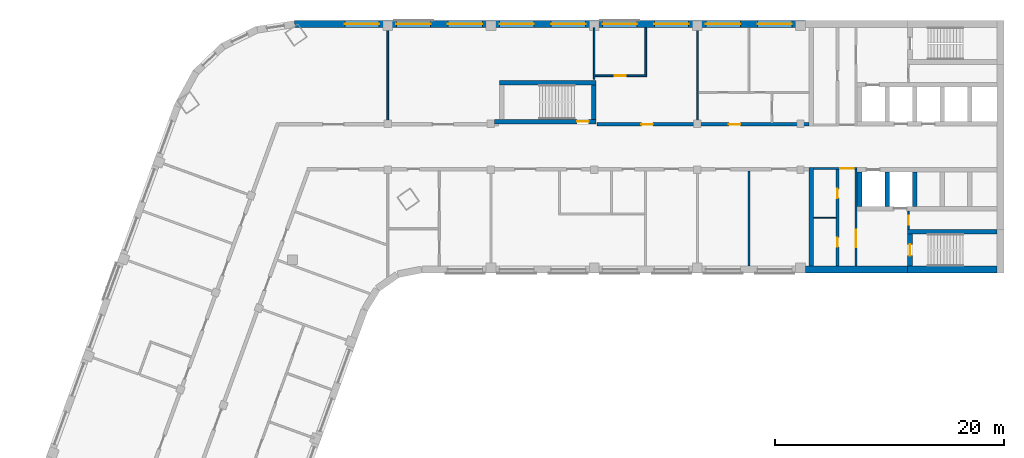
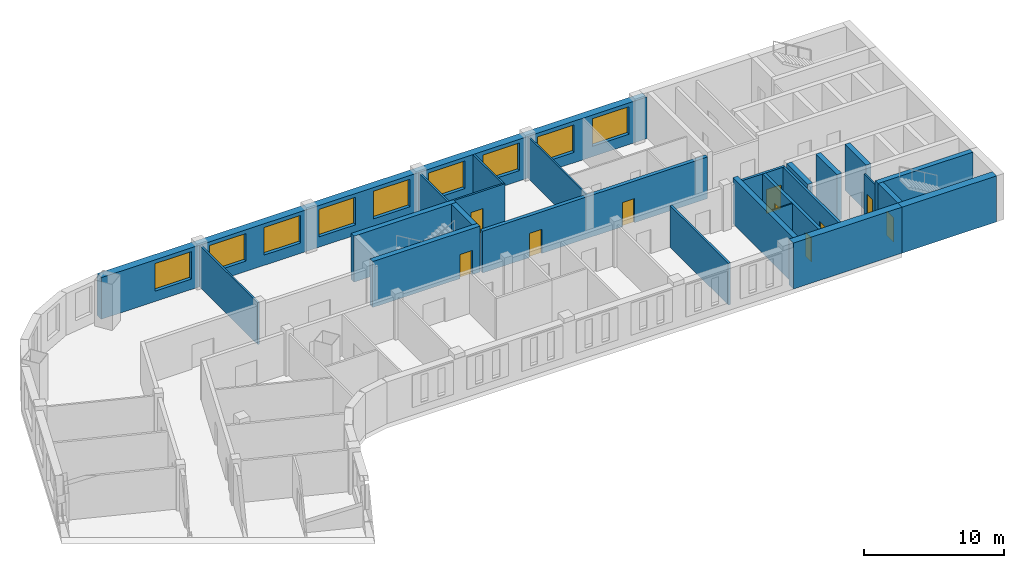
# One storey, part 5 of 8: 24 walls, 10 doors, 9 windows, 19 openings.
"""IFC4 building model written with IfcOpenShell, lengths in metres."""

from ifc_helpers import new_model, si_unit, direction, frame, frame_2d, origin, place, context, subcontext, project, spatial, rectangle, extrude, material, layer, layer_set, type_object, element, fill, save


model = new_model("IFC4")

# Units and contexts
model_context = context("Model", 3, precision=1e-05, world=origin(), true_north=direction((0.0, 1.0)))
body_context = subcontext(model_context, "Body", "Model", "MODEL_VIEW")
ifc_project = project(units=[si_unit("LENGTHUNIT", "METRE"), si_unit("AREAUNIT", "SQUARE_METRE"), si_unit("VOLUMEUNIT", "CUBIC_METRE"), si_unit("PLANEANGLEUNIT", "RADIAN"), si_unit("MASSUNIT", "GRAM", prefix="KILO")], contexts=[model_context])

# Site, building, storey
site_placement = place(None, origin())
site = spatial("IfcSite", under=ifc_project, at=site_placement, CompositionType="ELEMENT")
building_placement = place(site_placement, origin())
building = spatial("IfcBuilding", under=site, at=building_placement, Name="Skarvind Civic Tower", CompositionType="ELEMENT")
storey_placement = place(building_placement, frame((0.0, 0.0, 125.0)))
storey = spatial("IfcBuildingStorey", under=building, at=storey_placement, Name="L29", CompositionType="ELEMENT", Elevation=125.0)

# Wall
ifc_material_1 = material(Name="Acoustic gypsum board on steel studs", Category="steel")
ifc_layer_1 = layer(ifc_material_1, 0.175048828125)
ifc_layer_set_1 = layer_set([ifc_layer_1], Name="ACOUSTIC MEETING-ROOM PARTITION 175")
wall_type_1 = type_object("IfcWallType", Name="ACOUSTIC MEETING-ROOM PARTITION 175", PredefinedType="PARTITIONING", material=ifc_layer_set_1)
wall_1_placement = place(storey_placement, frame((85.75, 117.60009765625, 0.0), z_axis=(0.0, 0.0, 1.0), x_axis=(0.0, 1.0, 0.0)))
element("IfcWall", 1, at=wall_1_placement, inside=storey, type_object=wall_type_1, Name="Partition 29.035", PredefinedType="PARTITIONING", context=body_context, shape_type="SweptSolid", body=[
    extrude(rectangle(XDim=8.2998046875, YDim=0.175048828125, at=frame_2d((4.14990234375, 0.0))), origin(), (0.0, 0.0, 1.0), 3.625),
])

# Wall, openings, doors
ifc_material_2 = material(Name="Fire-rated gypsum board on steel studs", Category="steel")
ifc_layer_2 = layer(ifc_material_2, 0.300048828125)
ifc_layer_set_2 = layer_set([ifc_layer_2], Name="CORRIDOR WALL 300")
wall_type_2 = type_object("IfcWallType", Name="CORRIDOR WALL 300", PredefinedType="PARTITIONING", material=ifc_layer_set_2)
wall_2_placement = place(storey_placement, frame((72.5, 129.949951171875, 0.0), z_axis=(0.0, 0.0, 1.0), x_axis=(1.0, 0.0, 0.0)))
wall_2 = element("IfcWall", 2, at=wall_2_placement, inside=storey, type_object=wall_type_2, Name="Partition 29.026", PredefinedType="PARTITIONING", context=body_context, shape_type="SweptSolid", body=[
    extrude(rectangle(XDim=18.5, YDim=0.300048828125, at=frame_2d((9.25, 0.0))), origin(), (0.0, 0.0, 1.0), 3.625),
])
opening_1_placement = place(wall_2_placement, frame((11.5, 0.0, 0.0)))
opening_1 = element("IfcOpeningElement", 3, at=opening_1_placement, cuts=wall_2, Name="Opening L29-D001", PredefinedType="OPENING", context=body_context, shape_type="SweptSolid", body=[
    extrude(rectangle(XDim=1.0, YDim=2.10009765625, at=frame_2d((0.5, 1.050048828125))), frame((0.0, 0.159912109375, 0.0), z_axis=(0.0, -1.0, 0.0), x_axis=(1.0, 0.0, 0.0)), (0.0, 0.0, 1.0), 0.320068359375),
])
opening_2_placement = place(wall_2_placement, frame((3.875, 0.0, 0.0)))
opening_2 = element("IfcOpeningElement", 4, at=opening_2_placement, cuts=wall_2, Name="Opening L29-D006", PredefinedType="OPENING", context=body_context, shape_type="SweptSolid", body=[
    extrude(rectangle(XDim=1.0, YDim=2.10009765625, at=frame_2d((0.5, 1.050048828125))), frame((0.0, 0.159912109375, 0.0), z_axis=(0.0, -1.0, 0.0), x_axis=(1.0, 0.0, 0.0)), (0.0, 0.0, 1.0), 0.320068359375),
])
ifc_material_3 = material(Name="Fire-rated timber door leaf", Category="wood")
door_type_1 = type_object("IfcDoorType", Name="FD1 1000x2100", OperationType="NOTDEFINED", PredefinedType="DOOR", material=ifc_material_3)
door_1_placement = place(opening_1_placement, origin())
door_1 = element("IfcDoor", 5, at=door_1_placement, inside=storey, type_object=door_type_1, Name="Door L29-D001", OperationType="SINGLE_SWING_LEFT", OverallHeight=2.10009765625, OverallWidth=1.0, PredefinedType="DOOR", context=body_context, shape_type="SweptSolid", body=[
    extrude(rectangle(XDim=1.0, YDim=2.10009765625, at=frame_2d((0.5, 1.050048828125))), frame((0.0, 0.02490234375, 0.0), z_axis=(0.0, -1.0, 0.0), x_axis=(1.0, 0.0, 0.0)), (0.0, 0.0, 1.0), 0.050048828125),
])
fill(opening_1, door_1)
door_2_placement = place(opening_2_placement, origin())
door_2 = element("IfcDoor", 6, at=door_2_placement, inside=storey, type_object=door_type_1, Name="Door L29-D006", OperationType="SINGLE_SWING_LEFT", OverallHeight=2.10009765625, OverallWidth=1.0, PredefinedType="DOOR", context=body_context, shape_type="SweptSolid", body=[
    extrude(rectangle(XDim=1.0, YDim=2.10009765625, at=frame_2d((0.5, 1.050048828125))), frame((0.0, 0.02490234375, 0.0), z_axis=(0.0, -1.0, 0.0), x_axis=(1.0, 0.0, 0.0)), (0.0, 0.0, 1.0), 0.050048828125),
])
fill(opening_2, door_2)

# Wall, opening, door
ifc_material_4 = material(Name="Fire-rated masonry partition", Category="masonry")
ifc_layer_3 = layer(ifc_material_4, 0.199951171875)
ifc_layer_set_3 = layer_set([ifc_layer_3], Name="Core enclosure wall 200")
wall_type_3 = type_object("IfcWallType", Name="Core enclosure wall 200", PredefinedType="PARTITIONING", material=ifc_layer_set_3)
wall_3_placement = place(storey_placement, frame((95.199951171875, 126.10009765625, 0.0), z_axis=(0.0, 0.0, 1.0), x_axis=(-1.0, 0.0, 0.0)))
wall_3 = element("IfcWall", 7, at=wall_3_placement, inside=storey, type_object=wall_type_3, Name="Core wall C1", PredefinedType="PARTITIONING", context=body_context, shape_type="SweptSolid", body=[
    extrude(rectangle(XDim=3.800048828125, YDim=0.199951171875, at=frame_2d((1.89990234375, 0.0))), origin(), (0.0, 0.0, 1.0), 3.625),
])
opening_3_placement = place(wall_3_placement, frame((0.300048828125, 0.0, 0.0)))
opening_3 = element("IfcOpeningElement", 8, at=opening_3_placement, cuts=wall_3, Name="Opening D-L29-C1-04", PredefinedType="OPENING", context=body_context, shape_type="SweptSolid", body=[
    extrude(rectangle(XDim=1.199951171875, YDim=2.10009765625, at=frame_2d((0.60009765625, 1.050048828125))), frame((0.0, 0.10986328125, 0.0), z_axis=(0.0, -1.0, 0.0), x_axis=(1.0, 0.0, 0.0)), (0.0, 0.0, 1.0), 0.219970703125),
])
ifc_material_5 = material(Name="Fire-rated steel door", Category="steel")
door_type_2 = type_object("IfcDoorType", Name="Core lobby door 1200", OperationType="NOTDEFINED", PredefinedType="DOOR", material=ifc_material_5)
door_3_placement = place(opening_3_placement, origin())
door_3 = element("IfcDoor", 9, at=door_3_placement, inside=storey, type_object=door_type_2, Name="Fire door", OperationType="DOUBLE_DOOR_SINGLE_SWING", OverallHeight=2.10009765625, OverallWidth=1.199951171875, PredefinedType="DOOR", context=body_context, shape_type="SweptSolid", body=[
    extrude(rectangle(XDim=1.199951171875, YDim=2.10009765625, at=frame_2d((0.60009765625, 1.050048828125))), frame((0.0, 0.02490234375, 0.0), z_axis=(0.0, -1.0, 0.0), x_axis=(1.0, 0.0, 0.0)), (0.0, 0.0, 1.0), 0.050048828125),
])
fill(opening_3, door_3)

wall_4_placement = place(storey_placement, frame((95.10009765625, 117.60009765625, 0.0), z_axis=(0.0, 0.0, 1.0), x_axis=(0.0, 1.0, 0.0)))
wall_4 = element("IfcWall", 10, at=wall_4_placement, inside=storey, type_object=wall_type_3, Name="Core wall C1", PredefinedType="PARTITIONING", context=body_context, shape_type="SweptSolid", body=[
    extrude(rectangle(XDim=8.39990234375, YDim=0.199951171875, at=frame_2d((4.199951171875, 0.0))), origin(), (0.0, 0.0, 1.0), 3.625),
])
opening_4_placement = place(wall_4_placement, frame((1.64990234375, 0.0, 0.0)))
opening_4 = element("IfcOpeningElement", 11, at=opening_4_placement, cuts=wall_4, Name="Opening D-L29-C1-05", PredefinedType="OPENING", context=body_context, shape_type="SweptSolid", body=[
    extrude(rectangle(XDim=1.5, YDim=2.10009765625, at=frame_2d((0.75, 1.050048828125))), frame((0.0, 0.10986328125, 0.0), z_axis=(0.0, -1.0, 0.0), x_axis=(1.0, 0.0, 0.0)), (0.0, 0.0, 1.0), 0.219970703125),
])
door_type_3 = type_object("IfcDoorType", Name="Fire door 1500", OperationType="NOTDEFINED", PredefinedType="DOOR", material=ifc_material_5)
door_4_placement = place(opening_4_placement, origin())
door_4 = element("IfcDoor", 12, at=door_4_placement, inside=storey, type_object=door_type_3, Name="Fire door", OperationType="DOUBLE_DOOR_SINGLE_SWING", OverallHeight=2.10009765625, OverallWidth=1.5, PredefinedType="DOOR", context=body_context, shape_type="SweptSolid", body=[
    extrude(rectangle(XDim=1.5, YDim=2.10009765625, at=frame_2d((0.75, 1.050048828125))), frame((0.0, 0.02490234375, 0.0), z_axis=(0.0, -1.0, 0.0), x_axis=(1.0, 0.0, 0.0)), (0.0, 0.0, 1.0), 0.050048828125),
])
fill(opening_4, door_4)

# Walls
ifc_material_6 = material(Name="Fire-rated plasterboard partition")
ifc_layer_4 = layer(ifc_material_6, 0.10009765625)
ifc_layer_set_4 = layer_set([ifc_layer_4], Name="Core partition wall 100")
wall_type_4 = type_object("IfcWallType", Name="Core partition wall 100", PredefinedType="PARTITIONING", material=ifc_layer_set_4)
wall_5_placement = place(storey_placement, frame((93.35009765625, 121.800048828125, 0.0), z_axis=(0.0, 0.0, 1.0), x_axis=(-1.0, 0.0, 0.0)))
element("IfcWall", 13, at=wall_5_placement, inside=storey, type_object=wall_type_4, Name="Core wall C1", PredefinedType="PARTITIONING", context=body_context, shape_type="SweptSolid", body=[
    extrude(rectangle(XDim=1.9501953125, YDim=0.10009765625, at=frame_2d((0.97509765625, 0.0))), origin(), (0.0, 0.0, 1.0), 3.625),
])
ifc_material_7 = material(Name="Concrete C80", Category="concrete")
ifc_layer_5 = layer(ifc_material_7, 0.39990234375)
ifc_layer_set_5 = layer_set([ifc_layer_5], Name="Core wall 400 C80")
wall_type_5 = type_object("IfcWallType", Name="Core wall 400 C80", PredefinedType="SHEAR", material=ifc_layer_set_5)
wall_6_placement = place(storey_placement, frame((107.39990234375, 120.60009765625, 0.0), z_axis=(0.0, 0.0, 1.0), x_axis=(-1.0, 0.0, 0.0)))
element("IfcWall", 14, at=wall_6_placement, inside=storey, type_object=wall_type_5, Name="Core wall C1 north stair inner L29", PredefinedType="SHEAR", context=body_context, shape_type="SweptSolid", body=[
    extrude(rectangle(XDim=7.7998046875, YDim=0.39990234375, at=frame_2d((3.89990234375, 0.0))), origin(), (0.0, 0.0, 1.0), 4.0),
])

# Wall, opening, door
wall_7_placement = place(storey_placement, frame((99.800048828125, 120.39990234375, 0.0), z_axis=(0.0, 0.0, 1.0), x_axis=(0.0, -1.0, 0.0)))
wall_7 = element("IfcWall", 15, at=wall_7_placement, inside=storey, type_object=wall_type_5, Name="Core wall C1 north stair end L29", PredefinedType="SHEAR", context=body_context, shape_type="SweptSolid", body=[
    extrude(rectangle(XDim=2.7998046875, YDim=0.39990234375, at=frame_2d((1.39990234375, 0.0))), origin(), (0.0, 0.0, 1.0), 4.0),
])
opening_5_placement = place(wall_7_placement, frame((0.89990234375, 0.0, 0.0)))
opening_5 = element("IfcOpeningElement", 16, at=opening_5_placement, cuts=wall_7, Name="Opening D-L29-C1-06", PredefinedType="OPENING", context=body_context, shape_type="SweptSolid", body=[
    extrude(rectangle(XDim=1.0, YDim=2.10009765625, at=frame_2d((0.5, 1.050048828125))), frame((0.0, 0.2099609375, 0.0), z_axis=(0.0, -1.0, 0.0), x_axis=(1.0, 0.0, 0.0)), (0.0, 0.0, 1.0), 0.419921875),
])
door_type_4 = type_object("IfcDoorType", Name="Fire door 1000", OperationType="NOTDEFINED", PredefinedType="DOOR", material=ifc_material_5)
door_5_placement = place(opening_5_placement, origin())
door_5 = element("IfcDoor", 17, at=door_5_placement, inside=storey, type_object=door_type_4, Name="Fire door", OperationType="SINGLE_SWING_LEFT", OverallHeight=2.10009765625, OverallWidth=1.0, PredefinedType="DOOR", context=body_context, shape_type="SweptSolid", body=[
    extrude(rectangle(XDim=1.0, YDim=2.10009765625, at=frame_2d((0.5, 1.050048828125))), frame((0.0, 0.02490234375, 0.0), z_axis=(0.0, -1.0, 0.0), x_axis=(1.0, 0.0, 0.0)), (0.0, 0.0, 1.0), 0.050048828125),
])
fill(opening_5, door_5)

# Walls
for number, where, z_axis, x_axis, name in (
    (18, (100.199951171875, 125.800048828125, 0.0), (0.0, 0.0, 1.0), (0.0, -1.0, 0.0), "Core wall C1 north lift row division 3 L29"),
    (19, (97.800048828125, 125.800048828125, 0.0), (0.0, 0.0, 1.0), (0.0, -1.0, 0.0), "Core wall C1 north lift row division 4 L29"),
    (20, (95.39990234375, 125.800048828125, 0.0), (0.0, 0.0, 1.0), (0.0, -1.0, 0.0), "Core wall C1 north lift row division 5 L29"),
):
    element("IfcWall", number, at=place(storey_placement, frame(where, z_axis=z_axis, x_axis=x_axis)), inside=storey, type_object=wall_type_5, Name=name, PredefinedType="SHEAR", context=body_context, shape_type="SweptSolid", body=[
        extrude(rectangle(XDim=3.0, YDim=0.39990234375, at=frame_2d((1.5, 0.0))), origin(), (0.0, 0.0, 1.0), 4.0),
    ])
wall_8_placement = place(storey_placement, frame((91.199951171875, 126.199951171875, 0.0), z_axis=(0.0, 0.0, 1.0), x_axis=(0.0, -1.0, 0.0)))
element("IfcWall", 21, at=wall_8_placement, inside=storey, type_object=wall_type_5, Name="Core wall C1 north inner face L29", PredefinedType="SHEAR", context=body_context, shape_type="SweptSolid", body=[
    extrude(rectangle(XDim=8.599853515625, YDim=0.39990234375, at=frame_2d((4.2998046875, 0.0))), origin(), (0.0, 0.0, 1.0), 4.0),
])

# Wall, opening, door
wall_9_placement = place(storey_placement, frame((63.574951171875, 130.199951171875, 0.0), z_axis=(0.0, 0.0, 1.0), x_axis=(1.0, 0.0, 0.0)))
wall_9 = element("IfcWall", 22, at=wall_9_placement, inside=storey, type_object=wall_type_5, Name="Core wall CM inner L29", PredefinedType="SHEAR", context=body_context, shape_type="SweptSolid", body=[
    extrude(rectangle(XDim=8.824951171875, YDim=0.39990234375, at=frame_2d((4.41259765625, 0.0))), origin(), (0.0, 0.0, 1.0), 4.0),
])
opening_6_placement = place(wall_9_placement, frame((7.199951171875, 0.0, 0.0)))
opening_6 = element("IfcOpeningElement", 23, at=opening_6_placement, cuts=wall_9, Name="Opening D-L29-CM-01", PredefinedType="OPENING", context=body_context, shape_type="SweptSolid", body=[
    extrude(rectangle(XDim=1.0, YDim=2.10009765625, at=frame_2d((0.5, 1.050048828125))), frame((0.0, 0.2099609375, 0.0), z_axis=(0.0, -1.0, 0.0), x_axis=(1.0, 0.0, 0.0)), (0.0, 0.0, 1.0), 0.419921875),
])
door_6_placement = place(opening_6_placement, origin())
door_6 = element("IfcDoor", 24, at=door_6_placement, inside=storey, type_object=door_type_4, Name="Fire door", OperationType="SINGLE_SWING_LEFT", OverallHeight=2.10009765625, OverallWidth=1.0, PredefinedType="DOOR", context=body_context, shape_type="SweptSolid", body=[
    extrude(rectangle(XDim=1.0, YDim=2.10009765625, at=frame_2d((0.5, 1.050048828125))), frame((0.0, 0.02490234375, 0.0), z_axis=(0.0, -1.0, 0.0), x_axis=(1.0, 0.0, 0.0)), (0.0, 0.0, 1.0), 0.050048828125),
])
fill(opening_6, door_6)

# Walls
wall_10_placement = place(storey_placement, frame((64.0, 133.60009765625, 0.0), z_axis=(0.0, 0.0, 1.0), x_axis=(1.0, 0.0, 0.0)))
element("IfcWall", 25, at=wall_10_placement, inside=storey, type_object=wall_type_5, Name="Core wall CM outer L29", PredefinedType="SHEAR", context=body_context, shape_type="SweptSolid", body=[
    extrude(rectangle(XDim=8.39990234375, YDim=0.39990234375, at=frame_2d((4.199951171875, 0.0))), origin(), (0.0, 0.0, 1.0), 4.0),
])
wall_11_placement = place(storey_placement, frame((72.199951171875, 130.39990234375, 0.0), z_axis=(0.0, 0.0, 1.0), x_axis=(0.0, 1.0, 0.0)))
element("IfcWall", 26, at=wall_11_placement, inside=storey, type_object=wall_type_5, Name="Core wall CM end L29", PredefinedType="SHEAR", context=body_context, shape_type="SweptSolid", body=[
    extrude(rectangle(XDim=3.0, YDim=0.39990234375, at=frame_2d((1.5, 0.0))), origin(), (0.0, 0.0, 1.0), 4.0),
])
ifc_layer_6 = layer(ifc_material_7, 0.60009765625)
ifc_layer_set_6 = layer_set([ifc_layer_6], Name="Core wall 600 C80")
wall_type_6 = type_object("IfcWallType", Name="Core wall 600 C80", PredefinedType="SHEAR", material=ifc_layer_set_6)
wall_12_placement = place(storey_placement, frame((107.39990234375, 117.300048828125, 0.0), z_axis=(0.0, 0.0, 1.0), x_axis=(-1.0, 0.0, 0.0)))
element("IfcWall", 27, at=wall_12_placement, inside=storey, type_object=wall_type_6, Name="Core wall C1 north side at the stair L29", PredefinedType="SHEAR", context=body_context, shape_type="SweptSolid", body=[
    extrude(rectangle(XDim=7.7998046875, YDim=0.60009765625, at=frame_2d((3.89990234375, 0.0))), origin(), (0.0, 0.0, 1.0), 4.0),
])
wall_13_placement = place(storey_placement, frame((99.60009765625, 117.300048828125, 0.0), z_axis=(0.0, 0.0, 1.0), x_axis=(-1.0, 0.0, 0.0)))
element("IfcWall", 28, at=wall_13_placement, inside=storey, type_object=wall_type_6, Name="Core wall C1 north side L29", PredefinedType="SHEAR", context=body_context, shape_type="SweptSolid", body=[
    extrude(rectangle(XDim=8.925048828125, YDim=0.60009765625, at=frame_2d((4.46240234375, 0.0))), origin(), (0.0, 0.0, 1.0), 4.0),
])
ifc_material_8 = material(Name="Plasterboard partition on steel studs", Category="steel")
ifc_layer_7 = layer(ifc_material_8, 0.14990234375)
ifc_layer_set_7 = layer_set([ifc_layer_7], Name="PARTITION 150")
wall_type_7 = type_object("IfcWallType", Name="PARTITION 150", PredefinedType="PARTITIONING", material=ifc_layer_set_7)
wall_14_placement = place(storey_placement, frame((54.25, 138.39990234375, 0.0), z_axis=(0.0, 0.0, 1.0), x_axis=(0.0, -1.0, 0.0)))
element("IfcWall", 29, at=wall_14_placement, inside=storey, type_object=wall_type_7, Name="Partition 29.020", PredefinedType="PARTITIONING", context=body_context, shape_type="SweptSolid", body=[
    extrude(rectangle(XDim=8.2998046875, YDim=0.14990234375, at=frame_2d((4.14990234375, 0.0))), origin(), (0.0, 0.0, 1.0), 3.625),
])
wall_15_placement = place(storey_placement, frame((72.25, 133.89990234375, 0.0), z_axis=(0.0, 0.0, 1.0), x_axis=(0.0, 1.0, 0.0)))
element("IfcWall", 30, at=wall_15_placement, inside=storey, type_object=wall_type_7, Name="Partition 29.024", PredefinedType="PARTITIONING", context=body_context, shape_type="SweptSolid", body=[
    extrude(rectangle(XDim=4.5, YDim=0.14990234375, at=frame_2d((2.25, 0.0))), origin(), (0.0, 0.0, 1.0), 3.625),
])

# Wall, opening, door
wall_16_placement = place(storey_placement, frame((76.824951171875, 134.199951171875, 0.0), z_axis=(0.0, 0.0, 1.0), x_axis=(-1.0, 0.0, 0.0)))
wall_16 = element("IfcWall", 31, at=wall_16_placement, inside=storey, type_object=wall_type_7, Name="Partition 29.025", PredefinedType="PARTITIONING", context=body_context, shape_type="SweptSolid", body=[
    extrude(rectangle(XDim=4.5, YDim=0.14990234375, at=frame_2d((2.25, 0.0))), origin(), (0.0, 0.0, 1.0), 3.625),
])
opening_7_placement = place(wall_16_placement, frame((1.797607421875, 0.0, 0.0)))
opening_7 = element("IfcOpeningElement", 32, at=opening_7_placement, cuts=wall_16, Name="Opening L29-D005", PredefinedType="OPENING", context=body_context, shape_type="SweptSolid", body=[
    extrude(rectangle(XDim=1.0, YDim=2.10009765625, at=frame_2d((0.5, 1.050048828125))), frame((0.0, 0.0849609375, 0.0), z_axis=(0.0, -1.0, 0.0), x_axis=(1.0, 0.0, 0.0)), (0.0, 0.0, 1.0), 0.169921875),
])
ifc_material_9 = material(Name="Timber door leaf", Category="wood")
door_type_5 = type_object("IfcDoorType", Name="D1 1000x2100", OperationType="NOTDEFINED", PredefinedType="DOOR", material=ifc_material_9)
door_7_placement = place(opening_7_placement, origin())
door_7 = element("IfcDoor", 33, at=door_7_placement, inside=storey, type_object=door_type_5, Name="Door L29-D005", OperationType="SINGLE_SWING_LEFT", OverallHeight=2.10009765625, OverallWidth=1.0, PredefinedType="DOOR", context=body_context, shape_type="SweptSolid", body=[
    extrude(rectangle(XDim=1.0, YDim=2.10009765625, at=frame_2d((0.5, 1.050048828125))), frame((0.0, 0.02490234375, 0.0), z_axis=(0.0, -1.0, 0.0), x_axis=(1.0, 0.0, 0.0)), (0.0, 0.0, 1.0), 0.050048828125),
])
fill(opening_7, door_7)

# Wall
wall_17_placement = place(storey_placement, frame((76.75, 134.27490234375, 0.0), z_axis=(0.0, 0.0, 1.0), x_axis=(0.0, 1.0, 0.0)))
element("IfcWall", 34, at=wall_17_placement, inside=storey, type_object=wall_type_7, Name="Partition 29.031", PredefinedType="PARTITIONING", context=body_context, shape_type="SweptSolid", body=[
    extrude(rectangle(XDim=4.125, YDim=0.14990234375, at=frame_2d((2.0625, 0.0))), origin(), (0.0, 0.0, 1.0), 3.625),
])

# Wall, opening, door
ifc_layer_8 = layer(ifc_material_4, 0.125)
ifc_layer_set_8 = layer_set([ifc_layer_8], Name="Riser wall 125")
wall_type_8 = type_object("IfcWallType", Name="Riser wall 125", PredefinedType="PARTITIONING", material=ifc_layer_set_8)
wall_18_placement = place(storey_placement, frame((99.66259765625, 120.800048828125, 0.0), z_axis=(0.0, 0.0, 1.0), x_axis=(0.0, 1.0, 0.0)))
wall_18 = element("IfcWall", 35, at=wall_18_placement, inside=storey, type_object=wall_type_8, Name="Core wall C1", PredefinedType="PARTITIONING", context=body_context, shape_type="SweptSolid", body=[
    extrude(rectangle(XDim=1.599853515625, YDim=0.125, at=frame_2d((0.7998046875, 0.0))), origin(), (0.0, 0.0, 1.0), 3.625),
])
opening_8_placement = place(wall_18_placement, frame((0.39990234375, 0.0, 0.0)))
opening_8 = element("IfcOpeningElement", 36, at=opening_8_placement, cuts=wall_18, Name="Opening D-L29-C1-07", PredefinedType="OPENING", context=body_context, shape_type="SweptSolid", body=[
    extrude(rectangle(XDim=0.800048828125, YDim=2.10009765625, at=frame_2d((0.39990234375, 1.050048828125))), frame((0.0, 0.072509765625, 0.0), z_axis=(0.0, -1.0, 0.0), x_axis=(1.0, 0.0, 0.0)), (0.0, 0.0, 1.0), 0.14501953125),
])
door_type_6 = type_object("IfcDoorType", Name="Core riser door 800", OperationType="NOTDEFINED", PredefinedType="DOOR", material=ifc_material_5)
door_8_placement = place(opening_8_placement, origin())
door_8 = element("IfcDoor", 37, at=door_8_placement, inside=storey, type_object=door_type_6, Name="Riser door", OperationType="SINGLE_SWING_RIGHT", OverallHeight=2.10009765625, OverallWidth=0.800048828125, PredefinedType="DOOR", context=body_context, shape_type="SweptSolid", body=[
    extrude(rectangle(XDim=0.800048828125, YDim=2.10009765625, at=frame_2d((0.39990234375, 1.050048828125))), frame((0.0, 0.02490234375, 0.0), z_axis=(0.0, -1.0, 0.0), x_axis=(1.0, 0.0, 0.0)), (0.0, 0.0, 1.0), 0.050048828125),
])
fill(opening_8, door_8)

# Wall, openings, doors
ifc_layer_9 = layer(ifc_material_4, 0.25)
ifc_layer_set_9 = layer_set([ifc_layer_9], Name="Service block wall 250")
wall_type_9 = type_object("IfcWallType", Name="Service block wall 250", PredefinedType="PARTITIONING", material=ifc_layer_set_9)
wall_19_placement = place(storey_placement, frame((93.47509765625, 117.60009765625, 0.0), z_axis=(0.0, 0.0, 1.0), x_axis=(0.0, 1.0, 0.0)))
wall_19 = element("IfcWall", 38, at=wall_19_placement, inside=storey, type_object=wall_type_9, Name="Core wall C1", PredefinedType="PARTITIONING", context=body_context, shape_type="SweptSolid", body=[
    extrude(rectangle(XDim=8.39990234375, YDim=0.25, at=frame_2d((4.199951171875, 0.0))), origin(), (0.0, 0.0, 1.0), 3.625),
])
opening_9_placement = place(wall_19_placement, frame((5.925048828125, 0.0, 0.0)))
opening_9 = element("IfcOpeningElement", 39, at=opening_9_placement, cuts=wall_19, Name="Opening D-L29-C1-08", PredefinedType="OPENING", context=body_context, shape_type="SweptSolid", body=[
    extrude(rectangle(XDim=0.800048828125, YDim=2.10009765625, at=frame_2d((0.39990234375, 1.050048828125))), frame((0.0, 0.135009765625, 0.0), z_axis=(0.0, -1.0, 0.0), x_axis=(1.0, 0.0, 0.0)), (0.0, 0.0, 1.0), 0.27001953125),
])
opening_10_placement = place(wall_19_placement, frame((1.675048828125, 0.0, 0.0)))
opening_10 = element("IfcOpeningElement", 40, at=opening_10_placement, cuts=wall_19, Name="Opening D-L29-C1-09", PredefinedType="OPENING", context=body_context, shape_type="SweptSolid", body=[
    extrude(rectangle(XDim=0.800048828125, YDim=2.10009765625, at=frame_2d((0.39990234375, 1.050048828125))), frame((0.0, 0.135009765625, 0.0), z_axis=(0.0, -1.0, 0.0), x_axis=(1.0, 0.0, 0.0)), (0.0, 0.0, 1.0), 0.27001953125),
])
door_9_placement = place(opening_9_placement, origin())
door_9 = element("IfcDoor", 41, at=door_9_placement, inside=storey, type_object=door_type_6, Name="Riser door", OperationType="SINGLE_SWING_LEFT", OverallHeight=2.10009765625, OverallWidth=0.800048828125, PredefinedType="DOOR", context=body_context, shape_type="SweptSolid", body=[
    extrude(rectangle(XDim=0.800048828125, YDim=2.10009765625, at=frame_2d((0.39990234375, 1.050048828125))), frame((0.0, 0.02490234375, 0.0), z_axis=(0.0, -1.0, 0.0), x_axis=(1.0, 0.0, 0.0)), (0.0, 0.0, 1.0), 0.050048828125),
])
fill(opening_9, door_9)
door_10_placement = place(opening_10_placement, origin())
door_10 = element("IfcDoor", 42, at=door_10_placement, inside=storey, type_object=door_type_6, Name="Riser door", OperationType="SINGLE_SWING_RIGHT", OverallHeight=2.10009765625, OverallWidth=0.800048828125, PredefinedType="DOOR", context=body_context, shape_type="SweptSolid", body=[
    extrude(rectangle(XDim=0.800048828125, YDim=2.10009765625, at=frame_2d((0.39990234375, 1.050048828125))), frame((0.0, 0.02490234375, 0.0), z_axis=(0.0, -1.0, 0.0), x_axis=(1.0, 0.0, 0.0)), (0.0, 0.0, 1.0), 0.050048828125),
])
fill(opening_10, door_10)

# Wall
ifc_material_10 = material(Name="Moisture-resistant gypsum board on steel studs", Category="steel")
ifc_layer_10 = layer(ifc_material_10, 0.125)
ifc_layer_set_10 = layer_set([ifc_layer_10], Name="WC PARTITION 125")
wall_type_10 = type_object("IfcWallType", Name="WC PARTITION 125", PredefinedType="PARTITIONING", material=ifc_layer_set_10)
wall_20_placement = place(storey_placement, frame((81.25, 130.10009765625, 0.0), z_axis=(0.0, 0.0, 1.0), x_axis=(0.0, 1.0, 0.0)))
element("IfcWall", 43, at=wall_20_placement, inside=storey, type_object=wall_type_10, Name="Partition 29.033", PredefinedType="PARTITIONING", context=body_context, shape_type="SweptSolid", body=[
    extrude(rectangle(XDim=8.2998046875, YDim=0.125, at=frame_2d((4.14990234375, 0.0))), origin(), (0.0, 0.0, 1.0), 3.625),
])

# Wall, openings, windows
ifc_material_11 = material(Name="Limestone masonry cladding on insulated backing", Category="masonry")
ifc_layer_11 = layer(ifc_material_11, 0.60009765625)
ifc_layer_set_11 = layer_set([ifc_layer_11], Name="WX1 STONE FACADE WALL 600")
wall_type_11 = type_object("IfcWallType", Name="WX1 STONE FACADE WALL 600", PredefinedType="SOLIDWALL", material=ifc_layer_set_11)
wall_21_placement = place(storey_placement, frame((46.095458984375, 138.699951171875, 0.0), z_axis=(0.0, 0.0, 1.0), x_axis=(1.0, 0.0, 0.0)))
wall_21 = element("IfcWall", 44, at=wall_21_placement, inside=storey, type_object=wall_type_11, Name="STONE FACADE WALL", PredefinedType="SOLIDWALL", context=body_context, shape_type="SweptSolid", body=[
    extrude(rectangle(XDim=44.884521484375, YDim=0.60009765625, at=frame_2d((22.4423828125, 0.0))), origin(), (0.0, 0.0, 1.0), 3.625),
])
opening_11_placement = place(wall_21_placement, frame((4.404541015625, 0.0, 0.89990234375)))
opening_11 = element("IfcOpeningElement", 45, at=opening_11_placement, cuts=wall_21, Name="Opening WN1", PredefinedType="OPENING", context=body_context, shape_type="SweptSolid", body=[
    extrude(rectangle(XDim=3.0, YDim=2.39990234375, at=frame_2d((1.5, 1.199951171875))), frame((0.0, 0.31005859375, 0.0), z_axis=(0.0, -1.0, 0.0), x_axis=(1.0, 0.0, 0.0)), (0.0, 0.0, 1.0), 0.6201171875),
])
opening_12_placement = place(wall_21_placement, frame((8.904541015625, 0.0, 0.89990234375)))
opening_12 = element("IfcOpeningElement", 46, at=opening_12_placement, cuts=wall_21, Name="Opening WN1", PredefinedType="OPENING", context=body_context, shape_type="SweptSolid", body=[
    extrude(rectangle(XDim=3.0, YDim=2.39990234375, at=frame_2d((1.5, 1.199951171875))), frame((0.0, 0.31005859375, 0.0), z_axis=(0.0, -1.0, 0.0), x_axis=(1.0, 0.0, 0.0)), (0.0, 0.0, 1.0), 0.6201171875),
])
opening_13_placement = place(wall_21_placement, frame((13.404541015625, 0.0, 0.89990234375)))
opening_13 = element("IfcOpeningElement", 47, at=opening_13_placement, cuts=wall_21, Name="Opening WN1", PredefinedType="OPENING", context=body_context, shape_type="SweptSolid", body=[
    extrude(rectangle(XDim=3.0, YDim=2.39990234375, at=frame_2d((1.5, 1.199951171875))), frame((0.0, 0.31005859375, 0.0), z_axis=(0.0, -1.0, 0.0), x_axis=(1.0, 0.0, 0.0)), (0.0, 0.0, 1.0), 0.6201171875),
])
opening_14_placement = place(wall_21_placement, frame((17.904541015625, 0.0, 0.89990234375)))
opening_14 = element("IfcOpeningElement", 48, at=opening_14_placement, cuts=wall_21, Name="Opening WN1", PredefinedType="OPENING", context=body_context, shape_type="SweptSolid", body=[
    extrude(rectangle(XDim=3.0, YDim=2.39990234375, at=frame_2d((1.5, 1.199951171875))), frame((0.0, 0.31005859375, 0.0), z_axis=(0.0, -1.0, 0.0), x_axis=(1.0, 0.0, 0.0)), (0.0, 0.0, 1.0), 0.6201171875),
])
opening_15_placement = place(wall_21_placement, frame((22.404541015625, 0.0, 0.89990234375)))
opening_15 = element("IfcOpeningElement", 49, at=opening_15_placement, cuts=wall_21, Name="Opening WN1", PredefinedType="OPENING", context=body_context, shape_type="SweptSolid", body=[
    extrude(rectangle(XDim=3.0, YDim=2.39990234375, at=frame_2d((1.5, 1.199951171875))), frame((0.0, 0.31005859375, 0.0), z_axis=(0.0, -1.0, 0.0), x_axis=(1.0, 0.0, 0.0)), (0.0, 0.0, 1.0), 0.6201171875),
])
opening_16_placement = place(wall_21_placement, frame((26.904541015625, 0.0, 0.89990234375)))
opening_16 = element("IfcOpeningElement", 50, at=opening_16_placement, cuts=wall_21, Name="Opening WN1", PredefinedType="OPENING", context=body_context, shape_type="SweptSolid", body=[
    extrude(rectangle(XDim=3.0, YDim=2.39990234375, at=frame_2d((1.5, 1.199951171875))), frame((0.0, 0.31005859375, 0.0), z_axis=(0.0, -1.0, 0.0), x_axis=(1.0, 0.0, 0.0)), (0.0, 0.0, 1.0), 0.6201171875),
])
opening_17_placement = place(wall_21_placement, frame((31.404541015625, 0.0, 0.89990234375)))
opening_17 = element("IfcOpeningElement", 51, at=opening_17_placement, cuts=wall_21, Name="Opening WN1", PredefinedType="OPENING", context=body_context, shape_type="SweptSolid", body=[
    extrude(rectangle(XDim=3.0, YDim=2.39990234375, at=frame_2d((1.5, 1.199951171875))), frame((0.0, 0.31005859375, 0.0), z_axis=(0.0, -1.0, 0.0), x_axis=(1.0, 0.0, 0.0)), (0.0, 0.0, 1.0), 0.6201171875),
])
opening_18_placement = place(wall_21_placement, frame((35.904541015625, 0.0, 0.89990234375)))
opening_18 = element("IfcOpeningElement", 52, at=opening_18_placement, cuts=wall_21, Name="Opening WN1", PredefinedType="OPENING", context=body_context, shape_type="SweptSolid", body=[
    extrude(rectangle(XDim=3.0, YDim=2.39990234375, at=frame_2d((1.5, 1.199951171875))), frame((0.0, 0.31005859375, 0.0), z_axis=(0.0, -1.0, 0.0), x_axis=(1.0, 0.0, 0.0)), (0.0, 0.0, 1.0), 0.6201171875),
])
opening_19_placement = place(wall_21_placement, frame((40.404541015625, 0.0, 0.89990234375)))
opening_19 = element("IfcOpeningElement", 53, at=opening_19_placement, cuts=wall_21, Name="Opening WN1", PredefinedType="OPENING", context=body_context, shape_type="SweptSolid", body=[
    extrude(rectangle(XDim=3.0, YDim=2.39990234375, at=frame_2d((1.5, 1.199951171875))), frame((0.0, 0.31005859375, 0.0), z_axis=(0.0, -1.0, 0.0), x_axis=(1.0, 0.0, 0.0)), (0.0, 0.0, 1.0), 0.6201171875),
])
ifc_material_12 = material(Name="Timber frame, double glazing, timber-lined reveal", Category="wood")
window_type = type_object("IfcWindowType", Name="WN1 PUNCHED STONE WINDOW 3000 x 2400", PartitioningType="SINGLE_PANEL", PredefinedType="WINDOW", material=ifc_material_12)
window_1_placement = place(opening_11_placement, origin())
window_1 = element("IfcWindow", 54, at=window_1_placement, inside=storey, type_object=window_type, Name="WN1 WINDOW", OverallHeight=2.39990234375, OverallWidth=3.0, PartitioningType="SINGLE_PANEL", PredefinedType="WINDOW", context=body_context, shape_type="SweptSolid", body=[
    extrude(rectangle(XDim=3.0, YDim=2.39990234375, at=frame_2d((1.5, 1.199951171875))), frame((0.0, 0.030029296875, 0.0), z_axis=(0.0, -1.0, 0.0), x_axis=(1.0, 0.0, 0.0)), (0.0, 0.0, 1.0), 0.06005859375),
])
fill(opening_11, window_1)
window_2_placement = place(opening_12_placement, origin())
window_2 = element("IfcWindow", 55, at=window_2_placement, inside=storey, type_object=window_type, Name="WN1 WINDOW", OverallHeight=2.39990234375, OverallWidth=3.0, PartitioningType="SINGLE_PANEL", PredefinedType="WINDOW", context=body_context, shape_type="SweptSolid", body=[
    extrude(rectangle(XDim=3.0, YDim=2.39990234375, at=frame_2d((1.5, 1.199951171875))), frame((0.0, 0.030029296875, 0.0), z_axis=(0.0, -1.0, 0.0), x_axis=(1.0, 0.0, 0.0)), (0.0, 0.0, 1.0), 0.06005859375),
])
fill(opening_12, window_2)
window_3_placement = place(opening_13_placement, origin())
window_3 = element("IfcWindow", 56, at=window_3_placement, inside=storey, type_object=window_type, Name="WN1 WINDOW", OverallHeight=2.39990234375, OverallWidth=3.0, PartitioningType="SINGLE_PANEL", PredefinedType="WINDOW", context=body_context, shape_type="SweptSolid", body=[
    extrude(rectangle(XDim=3.0, YDim=2.39990234375, at=frame_2d((1.5, 1.199951171875))), frame((0.0, 0.030029296875, 0.0), z_axis=(0.0, -1.0, 0.0), x_axis=(1.0, 0.0, 0.0)), (0.0, 0.0, 1.0), 0.06005859375),
])
fill(opening_13, window_3)
window_4_placement = place(opening_14_placement, origin())
window_4 = element("IfcWindow", 57, at=window_4_placement, inside=storey, type_object=window_type, Name="WN1 WINDOW", OverallHeight=2.39990234375, OverallWidth=3.0, PartitioningType="SINGLE_PANEL", PredefinedType="WINDOW", context=body_context, shape_type="SweptSolid", body=[
    extrude(rectangle(XDim=3.0, YDim=2.39990234375, at=frame_2d((1.5, 1.199951171875))), frame((0.0, 0.030029296875, 0.0), z_axis=(0.0, -1.0, 0.0), x_axis=(1.0, 0.0, 0.0)), (0.0, 0.0, 1.0), 0.06005859375),
])
fill(opening_14, window_4)
window_5_placement = place(opening_15_placement, origin())
window_5 = element("IfcWindow", 58, at=window_5_placement, inside=storey, type_object=window_type, Name="WN1 WINDOW", OverallHeight=2.39990234375, OverallWidth=3.0, PartitioningType="SINGLE_PANEL", PredefinedType="WINDOW", context=body_context, shape_type="SweptSolid", body=[
    extrude(rectangle(XDim=3.0, YDim=2.39990234375, at=frame_2d((1.5, 1.199951171875))), frame((0.0, 0.030029296875, 0.0), z_axis=(0.0, -1.0, 0.0), x_axis=(1.0, 0.0, 0.0)), (0.0, 0.0, 1.0), 0.06005859375),
])
fill(opening_15, window_5)
window_6_placement = place(opening_16_placement, origin())
window_6 = element("IfcWindow", 59, at=window_6_placement, inside=storey, type_object=window_type, Name="WN1 WINDOW", OverallHeight=2.39990234375, OverallWidth=3.0, PartitioningType="SINGLE_PANEL", PredefinedType="WINDOW", context=body_context, shape_type="SweptSolid", body=[
    extrude(rectangle(XDim=3.0, YDim=2.39990234375, at=frame_2d((1.5, 1.199951171875))), frame((0.0, 0.030029296875, 0.0), z_axis=(0.0, -1.0, 0.0), x_axis=(1.0, 0.0, 0.0)), (0.0, 0.0, 1.0), 0.06005859375),
])
fill(opening_16, window_6)
window_7_placement = place(opening_17_placement, origin())
window_7 = element("IfcWindow", 60, at=window_7_placement, inside=storey, type_object=window_type, Name="WN1 WINDOW", OverallHeight=2.39990234375, OverallWidth=3.0, PartitioningType="SINGLE_PANEL", PredefinedType="WINDOW", context=body_context, shape_type="SweptSolid", body=[
    extrude(rectangle(XDim=3.0, YDim=2.39990234375, at=frame_2d((1.5, 1.199951171875))), frame((0.0, 0.030029296875, 0.0), z_axis=(0.0, -1.0, 0.0), x_axis=(1.0, 0.0, 0.0)), (0.0, 0.0, 1.0), 0.06005859375),
])
fill(opening_17, window_7)
window_8_placement = place(opening_18_placement, origin())
window_8 = element("IfcWindow", 61, at=window_8_placement, inside=storey, type_object=window_type, Name="WN1 WINDOW", OverallHeight=2.39990234375, OverallWidth=3.0, PartitioningType="SINGLE_PANEL", PredefinedType="WINDOW", context=body_context, shape_type="SweptSolid", body=[
    extrude(rectangle(XDim=3.0, YDim=2.39990234375, at=frame_2d((1.5, 1.199951171875))), frame((0.0, 0.030029296875, 0.0), z_axis=(0.0, -1.0, 0.0), x_axis=(1.0, 0.0, 0.0)), (0.0, 0.0, 1.0), 0.06005859375),
])
fill(opening_18, window_8)
window_9_placement = place(opening_19_placement, origin())
window_9 = element("IfcWindow", 62, at=window_9_placement, inside=storey, type_object=window_type, Name="WN1 WINDOW", OverallHeight=2.39990234375, OverallWidth=3.0, PartitioningType="SINGLE_PANEL", PredefinedType="WINDOW", context=body_context, shape_type="SweptSolid", body=[
    extrude(rectangle(XDim=3.0, YDim=2.39990234375, at=frame_2d((1.5, 1.199951171875))), frame((0.0, 0.030029296875, 0.0), z_axis=(0.0, -1.0, 0.0), x_axis=(1.0, 0.0, 0.0)), (0.0, 0.0, 1.0), 0.06005859375),
])
fill(opening_19, window_9)

save(model, "model.ifc")
